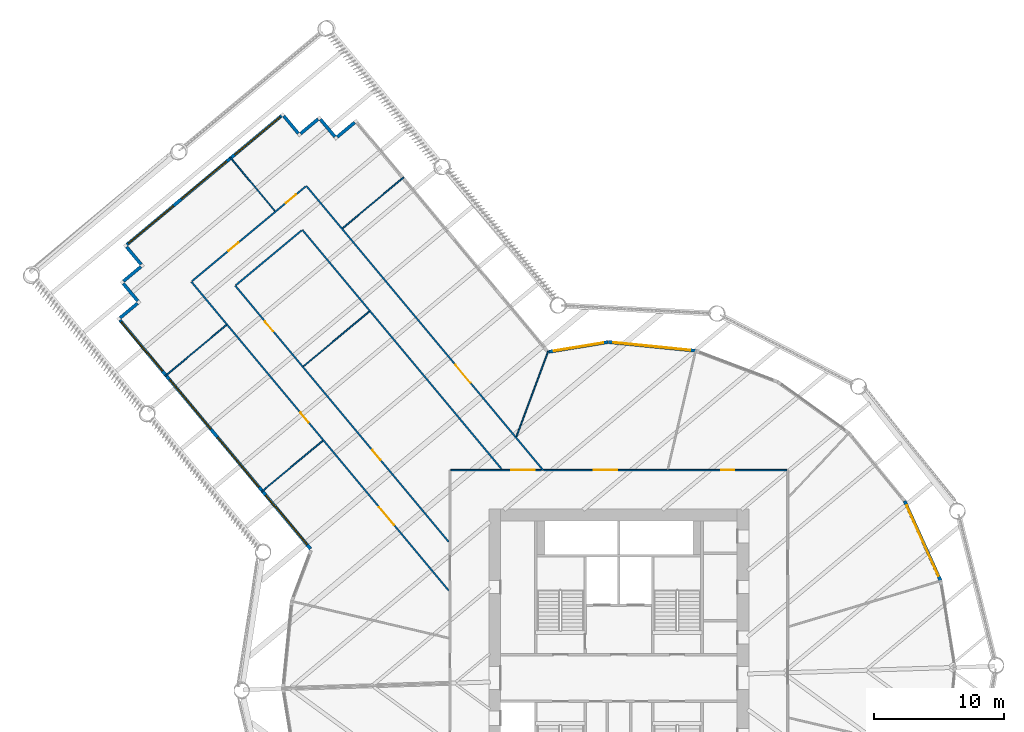
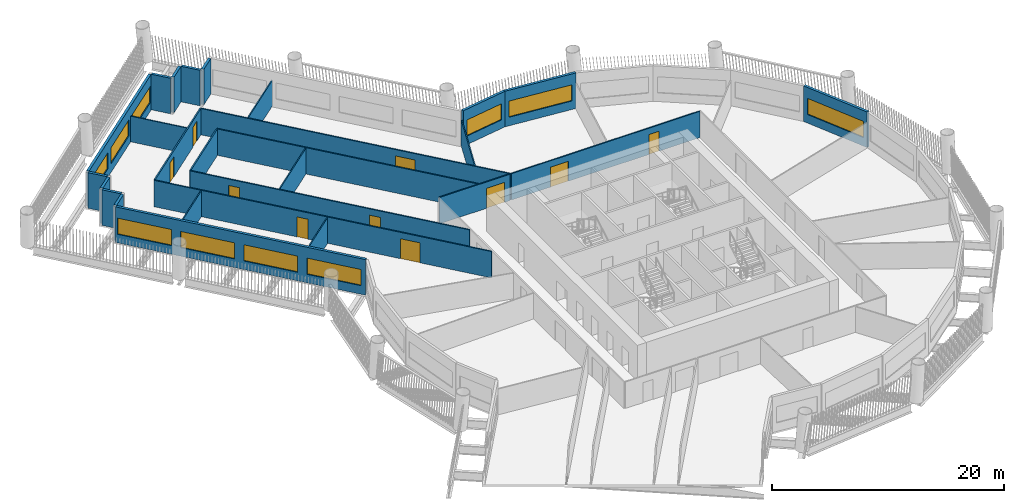
# One storey, part 6 of 15: 27 walls, 10 doors, 10 windows, 20 openings.
"""IFC4 building model written with IfcOpenShell, lengths in metres."""

from ifc_helpers import new_model, si_unit, direction, frame, frame_2d, origin, place, context, subcontext, project, spatial, rectangle, extrude, material, layer, layer_set, type_object, element, fill, save


model = new_model("IFC4")

# Units and contexts
model_context = context("Model", 3, precision=1e-05, world=origin(), true_north=direction((0.0, 1.0)))
body_context = subcontext(model_context, "Body", "Model", "MODEL_VIEW")
ifc_project = project(units=[si_unit("LENGTHUNIT", "METRE"), si_unit("AREAUNIT", "SQUARE_METRE"), si_unit("VOLUMEUNIT", "CUBIC_METRE"), si_unit("PLANEANGLEUNIT", "RADIAN"), si_unit("MASSUNIT", "GRAM", prefix="KILO")], contexts=[model_context])

# Site, building, storey
site_placement = place(None, origin())
site = spatial("IfcSite", under=ifc_project, at=site_placement, CompositionType="ELEMENT")
building_placement = place(site_placement, origin())
building = spatial("IfcBuilding", under=site, at=building_placement, Name="Tarsis Ring Headquarters", CompositionType="ELEMENT")
storey_placement = place(building_placement, frame((0.0, 0.0, 43.89990234375)))
storey = spatial("IfcBuildingStorey", under=building, at=storey_placement, Name="L08", CompositionType="ELEMENT", Elevation=43.89990234375)

# Walls
ifc_material_1 = material(Name="Gypsum board on steel studs", Category="steel")
ifc_layer_1 = layer(ifc_material_1, 0.10009765625)
ifc_layer_set_1 = layer_set([ifc_layer_1], Name="FL partition 100 unrated")
wall_type_1 = type_object("IfcWallType", Name="FL partition 100 unrated", PredefinedType="PARTITIONING", material=ifc_layer_set_1)
wall_1_placement = place(storey_placement, frame((-7.883544921875, 18.584716796875, 0.0), z_axis=(0.0, 0.0, 1.0), x_axis=(0.349386077248, 0.936978851963, 0.0)))
element("IfcWall", 1, at=wall_1_placement, inside=storey, type_object=wall_type_1, Name="Partition PW3", PredefinedType="PARTITIONING", context=body_context, shape_type="SweptSolid", body=[
    extrude(rectangle(XDim=7.00927734375, YDim=0.10009765625, at=frame_2d((3.504638671875, 0.0))), origin(), (0.0, 0.0, 1.0), 2.7001953125),
])
wall_2_placement = place(storey_placement, frame((-24.272216796875, 23.99267578125, 0.0), z_axis=(0.0, 0.0, 1.0), x_axis=(0.768291223236, 0.640100457974, 0.0)))
element("IfcWall", 2, at=wall_2_placement, inside=storey, type_object=wall_type_1, Name="Partition PW3", PredefinedType="PARTITIONING", context=body_context, shape_type="SweptSolid", body=[
    extrude(rectangle(XDim=6.580078125, YDim=0.10009765625, at=frame_2d((3.2900390625, 0.0))), origin(), (0.0, 0.0, 1.0), 2.7001953125),
])
wall_3_placement = place(storey_placement, frame((-21.259765625, 34.62451171875, 0.0), z_axis=(0.0, 0.0, 1.0), x_axis=(0.768283403138, 0.64010984406, 0.0)))
element("IfcWall", 3, at=wall_3_placement, inside=storey, type_object=wall_type_1, Name="Partition PW3", PredefinedType="PARTITIONING", context=body_context, shape_type="SweptSolid", body=[
    extrude(rectangle(XDim=6.1201171875, YDim=0.10009765625, at=frame_2d((3.06005859375, 0.0))), origin(), (0.0, 0.0, 1.0), 2.7001953125),
])
wall_4_placement = place(storey_placement, frame((-27.5009765625, 14.339111328125, 0.0), z_axis=(0.0, 0.0, 1.0), x_axis=(0.768303021682, 0.640086296427, 0.0)))
element("IfcWall", 4, at=wall_4_placement, inside=storey, type_object=wall_type_1, Name="Partition PW3", PredefinedType="PARTITIONING", context=body_context, shape_type="SweptSolid", body=[
    extrude(rectangle(XDim=6.119873046875, YDim=0.10009765625, at=frame_2d((3.06005859375, 0.0))), origin(), (0.0, 0.0, 1.0), 2.7001953125),
])
wall_5_placement = place(storey_placement, frame((-34.919921875, 23.243408203125, 0.0), z_axis=(0.0, 0.0, 1.0), x_axis=(0.768283403138, 0.64010984406, 0.0)))
element("IfcWall", 5, at=wall_5_placement, inside=storey, type_object=wall_type_1, Name="Partition PW3", PredefinedType="PARTITIONING", context=body_context, shape_type="SweptSolid", body=[
    extrude(rectangle(XDim=6.1201171875, YDim=0.10009765625, at=frame_2d((3.06005859375, 0.0))), origin(), (0.0, 0.0, 1.0), 2.7001953125),
])
wall_6_placement = place(storey_placement, frame((-29.922119140625, 40.0849609375, 0.0), z_axis=(0.0, 0.0, 1.0), x_axis=(0.640072804856, -0.768314261539, 0.0)))
element("IfcWall", 6, at=wall_6_placement, inside=storey, type_object=wall_type_1, Name="Partition PW3", PredefinedType="PARTITIONING", context=body_context, shape_type="SweptSolid", body=[
    extrude(rectangle(XDim=5.380126953125, YDim=0.10009765625, at=frame_2d((2.68994140625, 0.0))), origin(), (0.0, 0.0, 1.0), 2.7001953125),
])

# Wall, openings, doors
ifc_layer_2 = layer(ifc_material_1, 0.125)
ifc_layer_set_2 = layer_set([ifc_layer_2], Name="FL partition 125 EI 60 H2770")
wall_type_2 = type_object("IfcWallType", Name="FL partition 125 EI 60 H2770", PredefinedType="PARTITIONING", material=ifc_layer_set_2)
wall_7_placement = place(storey_placement, frame((-32.91015625, 30.501708984375, 0.0), z_axis=(0.0, 0.0, 1.0), x_axis=(0.640109121788, -0.768284004912, 0.0)))
wall_7 = element("IfcWall", 7, at=wall_7_placement, inside=storey, type_object=wall_type_2, Name="Partition PW1", PredefinedType="PARTITIONING", context=body_context, shape_type="SweptSolid", body=[
    extrude(rectangle(XDim=30.944580078125, YDim=0.125, at=frame_2d((15.47216796875, 0.0))), origin(), (0.0, 0.0, 1.0), 2.77001953125),
])
opening_1_placement = place(wall_7_placement, frame((22.591796875, 0.0, 0.0)))
opening_1 = element("IfcOpeningElement", 8, at=opening_1_placement, cuts=wall_7, Name="Opening D08.17", PredefinedType="OPENING", context=body_context, shape_type="SweptSolid", body=[
    extrude(rectangle(XDim=1.800048828125, YDim=2.10009765625, at=frame_2d((0.89990234375, 1.050048828125))), frame((0.0, 0.072509765625, 0.0), z_axis=(0.0, -1.0, 0.0), x_axis=(1.0, 0.0, 0.0)), (0.0, 0.0, 1.0), 0.14501953125),
])
opening_2_placement = place(wall_7_placement, frame((13.109375, 0.0, 0.0)))
opening_2 = element("IfcOpeningElement", 9, at=opening_2_placement, cuts=wall_7, Name="Opening D08.18", PredefinedType="OPENING", context=body_context, shape_type="SweptSolid", body=[
    extrude(rectangle(XDim=1.0, YDim=2.10009765625, at=frame_2d((0.5, 1.050048828125))), frame((0.0, 0.072509765625, 0.0), z_axis=(0.0, -1.0, 0.0), x_axis=(1.0, 0.0, 0.0)), (0.0, 0.0, 1.0), 0.14501953125),
])
ifc_material_2 = material(Name="Fire-rated timber door leaf in steel frame", Category="steel")
door_type_1 = type_object("IfcDoorType", Name="FL door FD60-1000", OperationType="NOTDEFINED", PredefinedType="DOOR", material=ifc_material_2)
door_1_placement = place(opening_2_placement, origin())
door_1 = element("IfcDoor", 10, at=door_1_placement, inside=storey, type_object=door_type_1, Name="Door D08.18", OperationType="SINGLE_SWING_RIGHT", OverallHeight=2.10009765625, OverallWidth=1.0, PredefinedType="DOOR", context=body_context, shape_type="SweptSolid", body=[
    extrude(rectangle(XDim=1.0, YDim=2.10009765625, at=frame_2d((0.5, 1.050048828125))), frame((0.0, 0.02490234375, 0.0), z_axis=(0.0, -1.0, 0.0), x_axis=(1.0, 0.0, 0.0)), (0.0, 0.0, 1.0), 0.050048828125),
])
fill(opening_2, door_1)
door_type_2 = type_object("IfcDoorType", Name="FL door FD60-1800", OperationType="DOUBLE_DOOR_SINGLE_SWING", PredefinedType="DOOR", material=ifc_material_2)
door_2_placement = place(opening_1_placement, origin())
door_2 = element("IfcDoor", 11, at=door_2_placement, inside=storey, type_object=door_type_2, Name="Door D08.17", OperationType="DOUBLE_DOOR_SINGLE_SWING", OverallHeight=2.10009765625, OverallWidth=1.800048828125, PredefinedType="DOOR", context=body_context, shape_type="SweptSolid", body=[
    extrude(rectangle(XDim=1.800048828125, YDim=2.10009765625, at=frame_2d((0.89990234375, 1.050048828125))), frame((0.0, 0.02490234375, 0.0), z_axis=(0.0, -1.0, 0.0), x_axis=(1.0, 0.0, 0.0)), (0.0, 0.0, 1.0), 0.050048828125),
])
fill(opening_1, door_2)

# Wall, opening, door
wall_8_placement = place(storey_placement, frame((-24.0595703125, 37.87548828125, 0.0), z_axis=(0.0, 0.0, 1.0), x_axis=(0.640111865979, -0.768281718534, 0.0)))
wall_8 = element("IfcWall", 12, at=wall_8_placement, inside=storey, type_object=wall_type_2, Name="Partition PW1", PredefinedType="PARTITIONING", context=body_context, shape_type="SweptSolid", body=[
    extrude(rectangle(XDim=28.47314453125, YDim=0.125, at=frame_2d((14.236572265625, 0.0))), origin(), (0.0, 0.0, 1.0), 2.77001953125),
])
opening_3_placement = place(wall_8_placement, frame((17.92041015625, 0.0, 0.0)))
opening_3 = element("IfcOpeningElement", 13, at=opening_3_placement, cuts=wall_8, Name="Opening D08.03", PredefinedType="OPENING", context=body_context, shape_type="SweptSolid", body=[
    extrude(rectangle(XDim=1.800048828125, YDim=2.10009765625, at=frame_2d((0.89990234375, 1.050048828125))), frame((0.0, 0.072509765625, 0.0), z_axis=(0.0, -1.0, 0.0), x_axis=(1.0, 0.0, 0.0)), (0.0, 0.0, 1.0), 0.14501953125),
])
door_3_placement = place(opening_3_placement, origin())
door_3 = element("IfcDoor", 14, at=door_3_placement, inside=storey, type_object=door_type_2, Name="Door D08.03", OperationType="DOUBLE_DOOR_SINGLE_SWING", OverallHeight=2.10009765625, OverallWidth=1.800048828125, PredefinedType="DOOR", context=body_context, shape_type="SweptSolid", body=[
    extrude(rectangle(XDim=1.800048828125, YDim=2.10009765625, at=frame_2d((0.89990234375, 1.050048828125))), frame((0.0, 0.02490234375, 0.0), z_axis=(0.0, -1.0, 0.0), x_axis=(1.0, 0.0, 0.0)), (0.0, 0.0, 1.0), 0.050048828125),
])
fill(opening_3, door_3)

wall_9_placement = place(storey_placement, frame((-12.93994140625, 16.0, 0.0), z_axis=(0.0, 0.0, 1.0), x_axis=(1.0, 0.0, 0.0)))
wall_9 = element("IfcWall", 15, at=wall_9_placement, inside=storey, type_object=wall_type_2, Name="Partition PW1", PredefinedType="PARTITIONING", context=body_context, shape_type="SweptSolid", body=[
    extrude(rectangle(XDim=6.97314453125, YDim=0.125, at=frame_2d((3.486572265625, 0.0))), origin(), (0.0, 0.0, 1.0), 2.77001953125),
])
opening_4_placement = place(wall_9_placement, frame((4.64453125, 0.0, 0.0)))
opening_4 = element("IfcOpeningElement", 16, at=opening_4_placement, cuts=wall_9, Name="Opening D08.26", PredefinedType="OPENING", context=body_context, shape_type="SweptSolid", body=[
    extrude(rectangle(XDim=1.800048828125, YDim=2.10009765625, at=frame_2d((0.89990234375, 1.050048828125))), frame((0.0, 0.072509765625, 0.0), z_axis=(0.0, -1.0, 0.0), x_axis=(1.0, 0.0, 0.0)), (0.0, 0.0, 1.0), 0.14501953125),
])
door_4_placement = place(opening_4_placement, origin())
door_4 = element("IfcDoor", 17, at=door_4_placement, inside=storey, type_object=door_type_2, Name="Door D08.26", OperationType="DOUBLE_DOOR_SINGLE_SWING", OverallHeight=2.10009765625, OverallWidth=1.800048828125, PredefinedType="DOOR", context=body_context, shape_type="SweptSolid", body=[
    extrude(rectangle(XDim=1.800048828125, YDim=2.10009765625, at=frame_2d((0.89990234375, 1.050048828125))), frame((0.0, 0.02490234375, 0.0), z_axis=(0.0, -1.0, 0.0), x_axis=(1.0, 0.0, 0.0)), (0.0, 0.0, 1.0), 0.050048828125),
])
fill(opening_4, door_4)

# Wall, openings, doors
wall_10_placement = place(storey_placement, frame((-5.785400390625, 16.0, 0.0), z_axis=(0.0, 0.0, 1.0), x_axis=(1.0, 0.0, 0.0)))
wall_10 = element("IfcWall", 18, at=wall_10_placement, inside=storey, type_object=wall_type_2, Name="Partition PW1", PredefinedType="PARTITIONING", context=body_context, shape_type="SweptSolid", body=[
    extrude(rectangle(XDim=18.725341796875, YDim=0.125, at=frame_2d((9.36279296875, 0.0))), origin(), (0.0, 0.0, 1.0), 2.77001953125),
])
opening_5_placement = place(wall_10_placement, frame((3.84521484375, 0.0, 0.0)))
opening_5 = element("IfcOpeningElement", 19, at=opening_5_placement, cuts=wall_10, Name="Opening D08.04", PredefinedType="OPENING", context=body_context, shape_type="SweptSolid", body=[
    extrude(rectangle(XDim=1.800048828125, YDim=2.10009765625, at=frame_2d((0.89990234375, 1.050048828125))), frame((0.0, 0.072509765625, 0.0), z_axis=(0.0, -1.0, 0.0), x_axis=(1.0, 0.0, 0.0)), (0.0, 0.0, 1.0), 0.14501953125),
])
opening_6_placement = place(wall_10_placement, frame((13.661865234375, 0.0, 0.0)))
opening_6 = element("IfcOpeningElement", 20, at=opening_6_placement, cuts=wall_10, Name="Opening D08.05", PredefinedType="OPENING", context=body_context, shape_type="SweptSolid", body=[
    extrude(rectangle(XDim=1.0, YDim=2.10009765625, at=frame_2d((0.5, 1.050048828125))), frame((0.0, 0.072509765625, 0.0), z_axis=(0.0, -1.0, 0.0), x_axis=(1.0, 0.0, 0.0)), (0.0, 0.0, 1.0), 0.14501953125),
])
door_5_placement = place(opening_6_placement, origin())
door_5 = element("IfcDoor", 21, at=door_5_placement, inside=storey, type_object=door_type_1, Name="Door D08.05", OperationType="SINGLE_SWING_LEFT", OverallHeight=2.10009765625, OverallWidth=1.0, PredefinedType="DOOR", context=body_context, shape_type="SweptSolid", body=[
    extrude(rectangle(XDim=1.0, YDim=2.10009765625, at=frame_2d((0.5, 1.050048828125))), frame((0.0, 0.02490234375, 0.0), z_axis=(0.0, -1.0, 0.0), x_axis=(1.0, 0.0, 0.0)), (0.0, 0.0, 1.0), 0.050048828125),
])
fill(opening_6, door_5)
door_6_placement = place(opening_5_placement, origin())
door_6 = element("IfcDoor", 22, at=door_6_placement, inside=storey, type_object=door_type_2, Name="Door D08.04", OperationType="DOUBLE_DOOR_SINGLE_SWING", OverallHeight=2.10009765625, OverallWidth=1.800048828125, PredefinedType="DOOR", context=body_context, shape_type="SweptSolid", body=[
    extrude(rectangle(XDim=1.800048828125, YDim=2.10009765625, at=frame_2d((0.89990234375, 1.050048828125))), frame((0.0, 0.02490234375, 0.0), z_axis=(0.0, -1.0, 0.0), x_axis=(1.0, 0.0, 0.0)), (0.0, 0.0, 1.0), 0.050048828125),
])
fill(opening_5, door_6)

wall_11_placement = place(storey_placement, frame((-29.530029296875, 30.194091796875, 0.0), z_axis=(0.0, 0.0, 1.0), x_axis=(0.640107669037, -0.768285215295, 0.0)))
wall_11 = element("IfcWall", 23, at=wall_11_placement, inside=storey, type_object=wall_type_2, Name="Partition PW1", PredefinedType="PARTITIONING", context=body_context, shape_type="SweptSolid", body=[
    extrude(rectangle(XDim=25.6640625, YDim=0.125, at=frame_2d((12.83203125, 0.0))), origin(), (0.0, 0.0, 1.0), 2.77001953125),
])
opening_7_placement = place(wall_11_placement, frame((16.476806640625, 0.0, 0.0)))
opening_7 = element("IfcOpeningElement", 24, at=opening_7_placement, cuts=wall_11, Name="Opening D08.19", PredefinedType="OPENING", context=body_context, shape_type="SweptSolid", body=[
    extrude(rectangle(XDim=1.0, YDim=2.10009765625, at=frame_2d((0.5, 1.050048828125))), frame((0.0, 0.072509765625, 0.0), z_axis=(0.0, -1.0, 0.0), x_axis=(1.0, 0.0, 0.0)), (0.0, 0.0, 1.0), 0.14501953125),
])
opening_8_placement = place(wall_11_placement, frame((3.56494140625, 0.0, 0.0)))
opening_8 = element("IfcOpeningElement", 25, at=opening_8_placement, cuts=wall_11, Name="Opening D08.20", PredefinedType="OPENING", context=body_context, shape_type="SweptSolid", body=[
    extrude(rectangle(XDim=1.0, YDim=2.10009765625, at=frame_2d((0.5, 1.050048828125))), frame((0.0, 0.072509765625, 0.0), z_axis=(0.0, -1.0, 0.0), x_axis=(1.0, 0.0, 0.0)), (0.0, 0.0, 1.0), 0.14501953125),
])
door_7_placement = place(opening_7_placement, origin())
door_7 = element("IfcDoor", 26, at=door_7_placement, inside=storey, type_object=door_type_1, Name="Door D08.19", OperationType="SINGLE_SWING_LEFT", OverallHeight=2.10009765625, OverallWidth=1.0, PredefinedType="DOOR", context=body_context, shape_type="SweptSolid", body=[
    extrude(rectangle(XDim=1.0, YDim=2.10009765625, at=frame_2d((0.5, 1.050048828125))), frame((0.0, 0.02490234375, 0.0), z_axis=(0.0, -1.0, 0.0), x_axis=(1.0, 0.0, 0.0)), (0.0, 0.0, 1.0), 0.050048828125),
])
fill(opening_7, door_7)
door_8_placement = place(opening_8_placement, origin())
door_8 = element("IfcDoor", 27, at=door_8_placement, inside=storey, type_object=door_type_1, Name="Door D08.20", OperationType="SINGLE_SWING_RIGHT", OverallHeight=2.10009765625, OverallWidth=1.0, PredefinedType="DOOR", context=body_context, shape_type="SweptSolid", body=[
    extrude(rectangle(XDim=1.0, YDim=2.10009765625, at=frame_2d((0.5, 1.050048828125))), frame((0.0, 0.02490234375, 0.0), z_axis=(0.0, -1.0, 0.0), x_axis=(1.0, 0.0, 0.0)), (0.0, 0.0, 1.0), 0.050048828125),
])
fill(opening_8, door_8)

# Wall
wall_12_placement = place(storey_placement, frame((-24.3671875, 34.49560546875, 0.0), z_axis=(0.0, 0.0, 1.0), x_axis=(0.640108205968, -0.768284767943, 0.0)))
element("IfcWall", 28, at=wall_12_placement, inside=storey, type_object=wall_type_2, Name="Partition PW1", PredefinedType="PARTITIONING", context=body_context, shape_type="SweptSolid", body=[
    extrude(rectangle(XDim=23.953857421875, YDim=0.125, at=frame_2d((11.97705078125, 0.0))), origin(), (0.0, 0.0, 1.0), 2.77001953125),
])

# Wall, openings, doors
wall_13_placement = place(storey_placement, frame((-32.864013671875, 30.5400390625, 0.0), z_axis=(0.0, 0.0, 1.0), x_axis=(0.768284471175, 0.640108562161, 0.0)))
wall_13 = element("IfcWall", 29, at=wall_13_placement, inside=storey, type_object=wall_type_2, Name="Partition PW1", PredefinedType="PARTITIONING", context=body_context, shape_type="SweptSolid", body=[
    extrude(rectangle(XDim=11.39990234375, YDim=0.125, at=frame_2d((5.699951171875, 0.0))), origin(), (0.0, 0.0, 1.0), 2.77001953125),
])
opening_9_placement = place(wall_13_placement, frame((3.6533203125, 0.0, 0.0)))
opening_9 = element("IfcOpeningElement", 30, at=opening_9_placement, cuts=wall_13, Name="Opening D08.01", PredefinedType="OPENING", context=body_context, shape_type="SweptSolid", body=[
    extrude(rectangle(XDim=1.0, YDim=2.10009765625, at=frame_2d((0.5, 1.050048828125))), frame((0.0, 0.072509765625, 0.0), z_axis=(0.0, -1.0, 0.0), x_axis=(1.0, 0.0, 0.0)), (0.0, 0.0, 1.0), 0.14501953125),
])
opening_10_placement = place(wall_13_placement, frame((9.413330078125, 0.0, 0.0)))
opening_10 = element("IfcOpeningElement", 31, at=opening_10_placement, cuts=wall_13, Name="Opening D08.02", PredefinedType="OPENING", context=body_context, shape_type="SweptSolid", body=[
    extrude(rectangle(XDim=1.0, YDim=2.10009765625, at=frame_2d((0.5, 1.050048828125))), frame((0.0, 0.072509765625, 0.0), z_axis=(0.0, -1.0, 0.0), x_axis=(1.0, 0.0, 0.0)), (0.0, 0.0, 1.0), 0.14501953125),
])
door_9_placement = place(opening_9_placement, origin())
door_9 = element("IfcDoor", 32, at=door_9_placement, inside=storey, type_object=door_type_1, Name="Door D08.01", OperationType="SINGLE_SWING_LEFT", OverallHeight=2.10009765625, OverallWidth=1.0, PredefinedType="DOOR", context=body_context, shape_type="SweptSolid", body=[
    extrude(rectangle(XDim=1.0, YDim=2.10009765625, at=frame_2d((0.5, 1.050048828125))), frame((0.0, 0.02490234375, 0.0), z_axis=(0.0, -1.0, 0.0), x_axis=(1.0, 0.0, 0.0)), (0.0, 0.0, 1.0), 0.050048828125),
])
fill(opening_9, door_9)
door_10_placement = place(opening_10_placement, origin())
door_10 = element("IfcDoor", 33, at=door_10_placement, inside=storey, type_object=door_type_1, Name="Door D08.02", OperationType="SINGLE_SWING_RIGHT", OverallHeight=2.10009765625, OverallWidth=1.0, PredefinedType="DOOR", context=body_context, shape_type="SweptSolid", body=[
    extrude(rectangle(XDim=1.0, YDim=2.10009765625, at=frame_2d((0.5, 1.050048828125))), frame((0.0, 0.02490234375, 0.0), z_axis=(0.0, -1.0, 0.0), x_axis=(1.0, 0.0, 0.0)), (0.0, 0.0, 1.0), 0.050048828125),
])
fill(opening_10, door_10)

# Wall
wall_14_placement = place(storey_placement, frame((-29.48388671875, 30.232421875, 0.0), z_axis=(0.0, 0.0, 1.0), x_axis=(0.768284950394, 0.640107986982, 0.0)))
element("IfcWall", 34, at=wall_14_placement, inside=storey, type_object=wall_type_2, Name="Partition PW1", PredefinedType="PARTITIONING", context=body_context, shape_type="SweptSolid", body=[
    extrude(rectangle(XDim=6.599853515625, YDim=0.125, at=frame_2d((3.2998046875, 0.0))), origin(), (0.0, 0.0, 1.0), 2.77001953125),
])

# Wall, openings, windows
ifc_material_3 = material(Name="Terracotta clad insulated panel wall", Category="masonry")
ifc_layer_3 = layer(ifc_material_3, 0.25)
ifc_layer_set_3 = layer_set([ifc_layer_3], Name="Facade wall terracotta panel 250")
wall_type_3 = type_object("IfcWallType", Name="Facade wall terracotta panel 250", PredefinedType="STANDARD", material=ifc_layer_set_3)
wall_15_placement = place(storey_placement, frame((-38.408447265625, 27.547607421875, 0.0), z_axis=(0.0, 0.0, 1.0), x_axis=(0.640110014786, -0.768283260895, 0.0)))
wall_15 = element("IfcWall", 35, at=wall_15_placement, inside=storey, type_object=wall_type_3, Name="External wall L08-01", PredefinedType="STANDARD", context=body_context, shape_type="SweptSolid", body=[
    extrude(rectangle(XDim=22.922119140625, YDim=0.25, at=frame_2d((11.4609375, 0.0))), origin(), (0.0, 0.0, 1.0), 3.739990234375),
])
opening_11_placement = place(wall_15_placement, frame((0.17138671875, 0.0, 0.89990234375)))
opening_11 = element("IfcOpeningElement", 36, at=opening_11_placement, cuts=wall_15, Name="Opening WN05", PredefinedType="OPENING", context=body_context, shape_type="SweptSolid", body=[
    extrude(rectangle(XDim=4.949951171875, YDim=1.699951171875, at=frame_2d((2.47509765625, 0.85009765625))), frame((0.0, 0.135009765625, 0.0), z_axis=(0.0, -1.0, 0.0), x_axis=(1.0, 0.0, 0.0)), (0.0, 0.0, 1.0), 0.27001953125),
])
opening_12_placement = place(wall_15_placement, frame((5.964599609375, 0.0, 0.89990234375)))
opening_12 = element("IfcOpeningElement", 37, at=opening_12_placement, cuts=wall_15, Name="Opening WN05", PredefinedType="OPENING", context=body_context, shape_type="SweptSolid", body=[
    extrude(rectangle(XDim=4.949951171875, YDim=1.699951171875, at=frame_2d((2.47509765625, 0.85009765625))), frame((0.0, 0.135009765625, 0.0), z_axis=(0.0, -1.0, 0.0), x_axis=(1.0, 0.0, 0.0)), (0.0, 0.0, 1.0), 0.27001953125),
])
opening_13_placement = place(wall_15_placement, frame((11.757568359375, 0.0, 0.89990234375)))
opening_13 = element("IfcOpeningElement", 38, at=opening_13_placement, cuts=wall_15, Name="Opening WN05", PredefinedType="OPENING", context=body_context, shape_type="SweptSolid", body=[
    extrude(rectangle(XDim=4.949951171875, YDim=1.699951171875, at=frame_2d((2.47509765625, 0.85009765625))), frame((0.0, 0.135009765625, 0.0), z_axis=(0.0, -1.0, 0.0), x_axis=(1.0, 0.0, 0.0)), (0.0, 0.0, 1.0), 0.27001953125),
])
opening_14_placement = place(wall_15_placement, frame((17.550537109375, 0.0, 0.89990234375)))
opening_14 = element("IfcOpeningElement", 39, at=opening_14_placement, cuts=wall_15, Name="Opening WN05", PredefinedType="OPENING", context=body_context, shape_type="SweptSolid", body=[
    extrude(rectangle(XDim=4.949951171875, YDim=1.699951171875, at=frame_2d((2.47509765625, 0.85009765625))), frame((0.0, 0.135009765625, 0.0), z_axis=(0.0, -1.0, 0.0), x_axis=(1.0, 0.0, 0.0)), (0.0, 0.0, 1.0), 0.27001953125),
])
ifc_material_4 = material(Name="Aluminium framed double glazing", Category="aluminium")
window_type_1 = type_object("IfcWindowType", Name="Facade window 4950 x 1700", PartitioningType="SINGLE_PANEL", PredefinedType="WINDOW", material=ifc_material_4)
window_1_placement = place(opening_11_placement, origin())
window_1 = element("IfcWindow", 40, at=window_1_placement, inside=storey, type_object=window_type_1, Name="Window L08-01.1", OverallHeight=1.699951171875, OverallWidth=4.949951171875, PartitioningType="SINGLE_PANEL", PredefinedType="WINDOW", context=body_context, shape_type="SweptSolid", body=[
    extrude(rectangle(XDim=4.949951171875, YDim=1.699951171875, at=frame_2d((2.47509765625, 0.85009765625))), frame((0.0, 0.030029296875, 0.0), z_axis=(0.0, -1.0, 0.0), x_axis=(1.0, 0.0, 0.0)), (0.0, 0.0, 1.0), 0.06005859375),
])
fill(opening_11, window_1)
window_2_placement = place(opening_12_placement, origin())
window_2 = element("IfcWindow", 41, at=window_2_placement, inside=storey, type_object=window_type_1, Name="Window L08-01.2", OverallHeight=1.699951171875, OverallWidth=4.949951171875, PartitioningType="SINGLE_PANEL", PredefinedType="WINDOW", context=body_context, shape_type="SweptSolid", body=[
    extrude(rectangle(XDim=4.949951171875, YDim=1.699951171875, at=frame_2d((2.47509765625, 0.85009765625))), frame((0.0, 0.030029296875, 0.0), z_axis=(0.0, -1.0, 0.0), x_axis=(1.0, 0.0, 0.0)), (0.0, 0.0, 1.0), 0.06005859375),
])
fill(opening_12, window_2)
window_3_placement = place(opening_13_placement, origin())
window_3 = element("IfcWindow", 42, at=window_3_placement, inside=storey, type_object=window_type_1, Name="Window L08-01.3", OverallHeight=1.699951171875, OverallWidth=4.949951171875, PartitioningType="SINGLE_PANEL", PredefinedType="WINDOW", context=body_context, shape_type="SweptSolid", body=[
    extrude(rectangle(XDim=4.949951171875, YDim=1.699951171875, at=frame_2d((2.47509765625, 0.85009765625))), frame((0.0, 0.030029296875, 0.0), z_axis=(0.0, -1.0, 0.0), x_axis=(1.0, 0.0, 0.0)), (0.0, 0.0, 1.0), 0.06005859375),
])
fill(opening_13, window_3)
window_4_placement = place(opening_14_placement, origin())
window_4 = element("IfcWindow", 43, at=window_4_placement, inside=storey, type_object=window_type_1, Name="Window L08-01.4", OverallHeight=1.699951171875, OverallWidth=4.949951171875, PartitioningType="SINGLE_PANEL", PredefinedType="WINDOW", context=body_context, shape_type="SweptSolid", body=[
    extrude(rectangle(XDim=4.949951171875, YDim=1.699951171875, at=frame_2d((2.47509765625, 0.85009765625))), frame((0.0, 0.030029296875, 0.0), z_axis=(0.0, -1.0, 0.0), x_axis=(1.0, 0.0, 0.0)), (0.0, 0.0, 1.0), 0.06005859375),
])
fill(opening_14, window_4)

# Wall, opening, window
wall_16_placement = place(storey_placement, frame((24.762939453125, 7.493408203125, 0.0), z_axis=(0.0, 0.0, 1.0), x_axis=(-0.411530276282, 0.911396089361, 0.0)))
wall_16 = element("IfcWall", 44, at=wall_16_placement, inside=storey, type_object=wall_type_3, Name="External wall L08-25", PredefinedType="STANDARD", context=body_context, shape_type="SweptSolid", body=[
    extrude(rectangle(XDim=6.721435546875, YDim=0.25, at=frame_2d((3.36083984375, 0.0))), origin(), (0.0, 0.0, 1.0), 3.739990234375),
])
opening_15_placement = place(wall_16_placement, frame((0.3857421875, 0.0, 0.89990234375)))
opening_15 = element("IfcOpeningElement", 45, at=opening_15_placement, cuts=wall_16, Name="Opening WN07", PredefinedType="OPENING", context=body_context, shape_type="SweptSolid", body=[
    extrude(rectangle(XDim=5.949951171875, YDim=1.699951171875, at=frame_2d((2.97509765625, 0.85009765625))), frame((0.0, 0.135009765625, 0.0), z_axis=(0.0, -1.0, 0.0), x_axis=(1.0, 0.0, 0.0)), (0.0, 0.0, 1.0), 0.27001953125),
])
window_type_2 = type_object("IfcWindowType", Name="Facade window 5950 x 1700", PartitioningType="SINGLE_PANEL", PredefinedType="WINDOW", material=ifc_material_4)
window_5_placement = place(opening_15_placement, origin())
window_5 = element("IfcWindow", 46, at=window_5_placement, inside=storey, type_object=window_type_2, Name="Window L08-25.1", OverallHeight=1.699951171875, OverallWidth=5.949951171875, PartitioningType="SINGLE_PANEL", PredefinedType="WINDOW", context=body_context, shape_type="SweptSolid", body=[
    extrude(rectangle(XDim=5.949951171875, YDim=1.699951171875, at=frame_2d((2.97509765625, 0.85009765625))), frame((0.0, 0.030029296875, 0.0), z_axis=(0.0, -1.0, 0.0), x_axis=(1.0, 0.0, 0.0)), (0.0, 0.0, 1.0), 0.06005859375),
])
fill(opening_15, window_5)

wall_17_placement = place(storey_placement, frame((5.891845703125, 25.19189453125, 0.0), z_axis=(0.0, 0.0, 1.0), x_axis=(-0.995053360317, 0.099341885033, 0.0)))
wall_17 = element("IfcWall", 47, at=wall_17_placement, inside=storey, type_object=wall_type_3, Name="External wall L08-29", PredefinedType="STANDARD", context=body_context, shape_type="SweptSolid", body=[
    extrude(rectangle(XDim=6.721435546875, YDim=0.25, at=frame_2d((3.36083984375, 0.0))), origin(), (0.0, 0.0, 1.0), 3.739990234375),
])
opening_16_placement = place(wall_17_placement, frame((0.3857421875, 0.0, 0.89990234375)))
opening_16 = element("IfcOpeningElement", 48, at=opening_16_placement, cuts=wall_17, Name="Opening WN07", PredefinedType="OPENING", context=body_context, shape_type="SweptSolid", body=[
    extrude(rectangle(XDim=5.949951171875, YDim=1.699951171875, at=frame_2d((2.97509765625, 0.85009765625))), frame((0.0, 0.135009765625, 0.0), z_axis=(0.0, -1.0, 0.0), x_axis=(1.0, 0.0, 0.0)), (0.0, 0.0, 1.0), 0.27001953125),
])
window_6_placement = place(opening_16_placement, origin())
window_6 = element("IfcWindow", 49, at=window_6_placement, inside=storey, type_object=window_type_2, Name="Window L08-29.1", OverallHeight=1.699951171875, OverallWidth=5.949951171875, PartitioningType="SINGLE_PANEL", PredefinedType="WINDOW", context=body_context, shape_type="SweptSolid", body=[
    extrude(rectangle(XDim=5.949951171875, YDim=1.699951171875, at=frame_2d((2.97509765625, 0.85009765625))), frame((0.0, 0.030029296875, 0.0), z_axis=(0.0, -1.0, 0.0), x_axis=(1.0, 0.0, 0.0)), (0.0, 0.0, 1.0), 0.06005859375),
])
fill(opening_16, window_6)

wall_18_placement = place(storey_placement, frame((-0.828857421875, 25.8583984375, 0.0), z_axis=(0.0, 0.0, 1.0), x_axis=(-0.986861404802, -0.16156908031, 0.0)))
wall_18 = element("IfcWall", 50, at=wall_18_placement, inside=storey, type_object=wall_type_3, Name="External wall L08-30", PredefinedType="STANDARD", context=body_context, shape_type="SweptSolid", body=[
    extrude(rectangle(XDim=4.617919921875, YDim=0.25, at=frame_2d((2.30908203125, 0.0))), origin(), (0.0, 0.0, 1.0), 3.739990234375),
])
opening_17_placement = place(wall_18_placement, frame((0.367431640625, 0.0, 0.89990234375)))
opening_17 = element("IfcOpeningElement", 51, at=opening_17_placement, cuts=wall_18, Name="Opening WN02", PredefinedType="OPENING", context=body_context, shape_type="SweptSolid", body=[
    extrude(rectangle(XDim=3.85009765625, YDim=1.699951171875, at=frame_2d((1.925048828125, 0.85009765625))), frame((0.0, 0.135009765625, 0.0), z_axis=(0.0, -1.0, 0.0), x_axis=(1.0, 0.0, 0.0)), (0.0, 0.0, 1.0), 0.27001953125),
])
window_type_3 = type_object("IfcWindowType", Name="Facade window 3850 x 1700", PartitioningType="SINGLE_PANEL", PredefinedType="WINDOW", material=ifc_material_4)
window_7_placement = place(opening_17_placement, origin())
window_7 = element("IfcWindow", 52, at=window_7_placement, inside=storey, type_object=window_type_3, Name="Window L08-30.1", OverallHeight=1.699951171875, OverallWidth=3.85009765625, PartitioningType="SINGLE_PANEL", PredefinedType="WINDOW", context=body_context, shape_type="SweptSolid", body=[
    extrude(rectangle(XDim=3.85009765625, YDim=1.699951171875, at=frame_2d((1.925048828125, 0.85009765625))), frame((0.0, 0.030029296875, 0.0), z_axis=(0.0, -1.0, 0.0), x_axis=(1.0, 0.0, 0.0)), (0.0, 0.0, 1.0), 0.06005859375),
])
fill(opening_17, window_7)

# Walls
for number, where, z_axis, x_axis, name in (
    (53, (-20.337646484375, 42.766357421875, 0.0), (0.0, 0.0, 1.0), (-0.768232713994, -0.64017067814, 0.0), "External wall L08-32"),
    (54, (-21.858154296875, 41.662109375, 0.0), (0.0, 0.0, 1.0), (-0.64017067814, 0.768232713994, 0.0), "External wall L08-33"),
    (55, (-23.154541015625, 43.022705078125, 0.0), (0.0, 0.0, 1.0), (-0.768232713994, -0.64017067814, 0.0), "External wall L08-34"),
    (56, (-24.675048828125, 41.91845703125, 0.0), (0.0, 0.0, 1.0), (-0.640088336125, 0.768301322371, 0.0), "External wall L08-35"),
):
    element("IfcWall", number, at=place(storey_placement, frame(where, z_axis=z_axis, x_axis=x_axis)), inside=storey, type_object=wall_type_3, Name=name, PredefinedType="STANDARD", context=body_context, shape_type="SweptSolid", body=[
        extrude(rectangle(XDim=1.75, YDim=0.25, at=frame_2d((0.875, 0.0))), origin(), (0.0, 0.0, 1.0), 3.739990234375),
    ])

# Wall, openings, windows
wall_19_placement = place(storey_placement, frame((-25.97119140625, 43.279052734375, 0.0), z_axis=(0.0, 0.0, 1.0), x_axis=(-0.768279373844, -0.640114680136, 0.0)))
wall_19 = element("IfcWall", 57, at=wall_19_placement, inside=storey, type_object=wall_type_3, Name="External wall L08-36", PredefinedType="STANDARD", context=body_context, shape_type="SweptSolid", body=[
    extrude(rectangle(XDim=15.500244140625, YDim=0.25, at=frame_2d((7.75, 0.0))), origin(), (0.0, 0.0, 1.0), 3.739990234375),
])
opening_18_placement = place(wall_19_placement, frame((0.166748046875, 0.0, 0.89990234375)))
opening_18 = element("IfcOpeningElement", 58, at=opening_18_placement, cuts=wall_19, Name="Opening WN04", PredefinedType="OPENING", context=body_context, shape_type="SweptSolid", body=[
    extrude(rectangle(XDim=4.5, YDim=1.699951171875, at=frame_2d((2.25, 0.85009765625))), frame((0.0, 0.135009765625, 0.0), z_axis=(0.0, -1.0, 0.0), x_axis=(1.0, 0.0, 0.0)), (0.0, 0.0, 1.0), 0.27001953125),
])
opening_19_placement = place(wall_19_placement, frame((5.5, 0.0, 0.89990234375)))
opening_19 = element("IfcOpeningElement", 59, at=opening_19_placement, cuts=wall_19, Name="Opening WN04", PredefinedType="OPENING", context=body_context, shape_type="SweptSolid", body=[
    extrude(rectangle(XDim=4.5, YDim=1.699951171875, at=frame_2d((2.25, 0.85009765625))), frame((0.0, 0.135009765625, 0.0), z_axis=(0.0, -1.0, 0.0), x_axis=(1.0, 0.0, 0.0)), (0.0, 0.0, 1.0), 0.27001953125),
])
opening_20_placement = place(wall_19_placement, frame((10.833251953125, 0.0, 0.89990234375)))
opening_20 = element("IfcOpeningElement", 60, at=opening_20_placement, cuts=wall_19, Name="Opening WN04", PredefinedType="OPENING", context=body_context, shape_type="SweptSolid", body=[
    extrude(rectangle(XDim=4.5, YDim=1.699951171875, at=frame_2d((2.25, 0.85009765625))), frame((0.0, 0.135009765625, 0.0), z_axis=(0.0, -1.0, 0.0), x_axis=(1.0, 0.0, 0.0)), (0.0, 0.0, 1.0), 0.27001953125),
])
window_type_4 = type_object("IfcWindowType", Name="Facade window 4500 x 1700", PartitioningType="SINGLE_PANEL", PredefinedType="WINDOW", material=ifc_material_4)
window_8_placement = place(opening_18_placement, origin())
window_8 = element("IfcWindow", 61, at=window_8_placement, inside=storey, type_object=window_type_4, Name="Window L08-36.1", OverallHeight=1.699951171875, OverallWidth=4.5, PartitioningType="SINGLE_PANEL", PredefinedType="WINDOW", context=body_context, shape_type="SweptSolid", body=[
    extrude(rectangle(XDim=4.5, YDim=1.699951171875, at=frame_2d((2.25, 0.85009765625))), frame((0.0, 0.030029296875, 0.0), z_axis=(0.0, -1.0, 0.0), x_axis=(1.0, 0.0, 0.0)), (0.0, 0.0, 1.0), 0.06005859375),
])
fill(opening_18, window_8)
window_9_placement = place(opening_19_placement, origin())
window_9 = element("IfcWindow", 62, at=window_9_placement, inside=storey, type_object=window_type_4, Name="Window L08-36.2", OverallHeight=1.699951171875, OverallWidth=4.5, PartitioningType="SINGLE_PANEL", PredefinedType="WINDOW", context=body_context, shape_type="SweptSolid", body=[
    extrude(rectangle(XDim=4.5, YDim=1.699951171875, at=frame_2d((2.25, 0.85009765625))), frame((0.0, 0.030029296875, 0.0), z_axis=(0.0, -1.0, 0.0), x_axis=(1.0, 0.0, 0.0)), (0.0, 0.0, 1.0), 0.06005859375),
])
fill(opening_19, window_9)
window_10_placement = place(opening_20_placement, origin())
window_10 = element("IfcWindow", 63, at=window_10_placement, inside=storey, type_object=window_type_4, Name="Window L08-36.3", OverallHeight=1.699951171875, OverallWidth=4.5, PartitioningType="SINGLE_PANEL", PredefinedType="WINDOW", context=body_context, shape_type="SweptSolid", body=[
    extrude(rectangle(XDim=4.5, YDim=1.699951171875, at=frame_2d((2.25, 0.85009765625))), frame((0.0, 0.030029296875, 0.0), z_axis=(0.0, -1.0, 0.0), x_axis=(1.0, 0.0, 0.0)), (0.0, 0.0, 1.0), 0.06005859375),
])
fill(opening_20, window_10)

# Walls
for number, where, z_axis, x_axis, name in (
    (64, (-37.895751953125, 33.18115234375, 0.0), (0.0, 0.0, 1.0), (0.64017067814, -0.768232713994, 0.0), "External wall L08-37"),
    (65, (-36.79150390625, 31.66064453125, 0.0), (0.0, 0.0, 1.0), (-0.768301322371, -0.640088336125, 0.0), "External wall L08-38"),
    (66, (-38.152099609375, 30.364501953125, 0.0), (0.0, 0.0, 1.0), (0.64017067814, -0.768232713994, 0.0), "External wall L08-39"),
    (67, (-37.0478515625, 28.843994140625, 0.0), (0.0, 0.0, 1.0), (-0.768232713994, -0.64017067814, 0.0), "External wall L08-40"),
):
    element("IfcWall", number, at=place(storey_placement, frame(where, z_axis=z_axis, x_axis=x_axis)), inside=storey, type_object=wall_type_3, Name=name, PredefinedType="STANDARD", context=body_context, shape_type="SweptSolid", body=[
        extrude(rectangle(XDim=1.75, YDim=0.25, at=frame_2d((0.875, 0.0))), origin(), (0.0, 0.0, 1.0), 3.739990234375),
    ])

save(model, "model.ifc")
